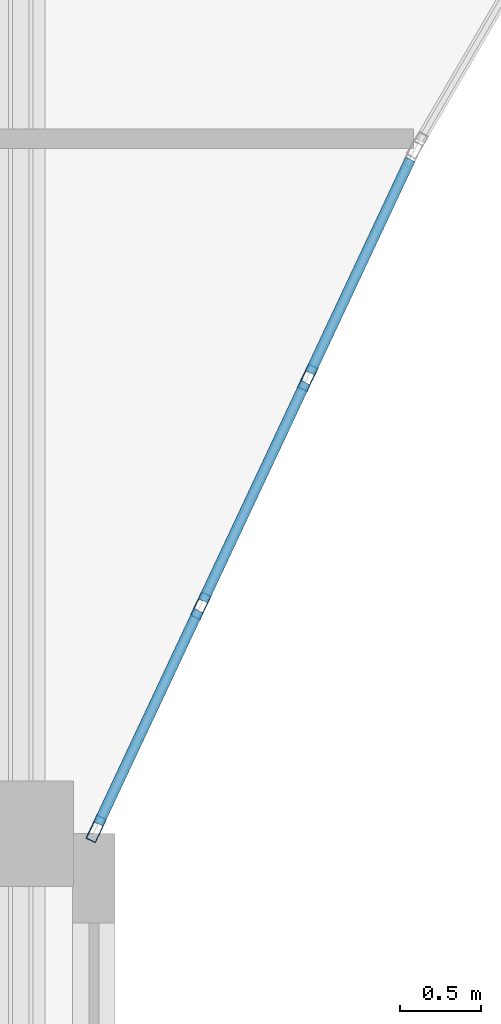
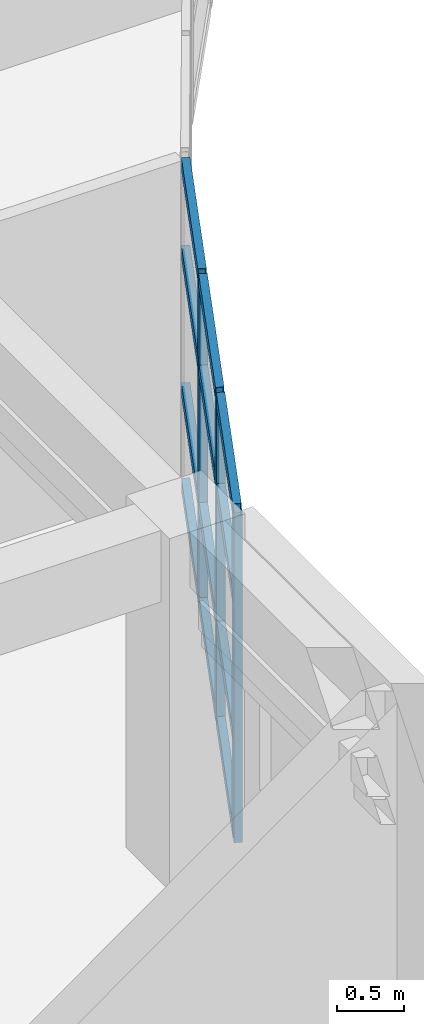
# One storey, part 7 of 89: 15 members, 1 element without a shape of its own.
"""IFC4 building model written with IfcOpenShell, lengths in metres."""

from ifc_helpers import new_model, si_unit, direction, frame, origin, origin_2d, place, context, subcontext, project, spatial, hollow_rectangle, extrude, material, layer, layer_set, material_profile, profile_set, type_object, element, aggregate, save


model = new_model("IFC4")

# Units and contexts
model_context = context("Model", 3, precision=1e-05, world=origin(), true_north=direction((0.0, 1.0)))
body_context = subcontext(model_context, "Body", "Model", "MODEL_VIEW")
ifc_project = project(units=[si_unit("LENGTHUNIT", "METRE"), si_unit("AREAUNIT", "SQUARE_METRE"), si_unit("VOLUMEUNIT", "CUBIC_METRE"), si_unit("PLANEANGLEUNIT", "RADIAN"), si_unit("MASSUNIT", "GRAM", prefix="KILO")], contexts=[model_context])

# Site, building, storey
site_placement = place(None, origin())
site = spatial("IfcSite", under=ifc_project, at=site_placement, CompositionType="ELEMENT")
building_placement = place(site_placement, origin())
building = spatial("IfcBuilding", under=site, at=building_placement, Name="Keldmere Railside Commons", CompositionType="ELEMENT")
storey_placement = place(building_placement, frame((0.0, 0.0, 7.360107421875)))
storey = spatial("IfcBuildingStorey", under=building, at=storey_placement, Name="L02", CompositionType="ELEMENT", Elevation=7.360107421875)

# Curtain wall, members
ifc_material = material(Name="Thermally Broken Aluminium", Category="aluminium")
ifc_layer = layer(ifc_material, 0.159912109375, Name="Court Chord Wintergarden CW 4800x2850")
ifc_layer_set = layer_set([ifc_layer], Name="Thermally Broken Aluminium")
curtain_wall_type = type_object("IfcCurtainWallType", Name="Court Chord Wintergarden CW 4800x2850", PredefinedType="NOTDEFINED", material=ifc_layer_set)
curtain_wall_placement = place(storey_placement, origin())
curtain_wall = element("IfcCurtainWall", 1, at=curtain_wall_placement, inside=storey, type_object=curtain_wall_type, Name="CW-12 CW-L02-007", PredefinedType="NOTDEFINED")
ifc_material_profile_1 = material_profile(ifc_material, hollow_rectangle(XDim=0.06494140625, YDim=0.159912109375, WallThickness=0.00390625, at=origin_2d()), Name="ALU-MULL-65x160")
ifc_profile_set_1 = profile_set([ifc_material_profile_1], Name="Thermally Broken Aluminium")
member_type_1 = type_object("IfcMemberType", Name="Unitised Curtain Wall Mullion 65x160", PredefinedType="MULLION", material=ifc_profile_set_1)
member_1_placement = place(storey_placement, frame((25.314697265625, 90.802001953125, 0.0), z_axis=(0.0, 0.0, 1.0), x_axis=(0.905306255478, -0.424759442264, 0.0)))
member_1 = element("IfcMember", 2, at=member_1_placement, type_object=member_type_1, Name="CW-12 mullion 2", PredefinedType="MULLION", context=body_context, shape_type="SweptSolid", body=[
    extrude(hollow_rectangle(XDim=0.06494140625, YDim=0.159912109375, WallThickness=0.00390625, at=origin_2d()), origin(), (0.0, 0.0, 1.0), 2.97998046875),
])
member_2_placement = place(storey_placement, frame((24.6572265625, 89.40087890625, 0.0), z_axis=(0.0, 0.0, 1.0), x_axis=(0.905306255478, -0.424759442264, 0.0)))
member_2 = element("IfcMember", 3, at=member_2_placement, type_object=member_type_1, Name="CW-12 mullion 3", PredefinedType="MULLION", context=body_context, shape_type="SweptSolid", body=[
    extrude(hollow_rectangle(XDim=0.06494140625, YDim=0.159912109375, WallThickness=0.00390625, at=origin_2d()), origin(), (0.0, 0.0, 1.0), 2.97998046875),
])
member_3_placement = place(storey_placement, frame((24.013916015625, 88.029541015625, 0.0), z_axis=(0.0, 0.0, 1.0), x_axis=(0.905306255478, -0.424759442264, 0.0)))
member_3 = element("IfcMember", 4, at=member_3_placement, type_object=member_type_1, Name="CW-12 mullion 4", PredefinedType="MULLION", context=body_context, shape_type="SweptSolid", body=[
    extrude(hollow_rectangle(XDim=0.06494140625, YDim=0.159912109375, WallThickness=0.00390625, at=origin_2d()), origin(), (0.0, 0.0, 1.0), 2.97998046875),
])
ifc_material_profile_2 = material_profile(ifc_material, hollow_rectangle(XDim=0.06494140625, YDim=0.1201171875, WallThickness=0.00390625, at=origin_2d()), Name="ALU-TRAN-65x120")
ifc_profile_set_2 = profile_set([ifc_material_profile_2], Name="Thermally Broken Aluminium")
member_type_2 = type_object("IfcMemberType", Name="Unitised Curtain Wall Transom 65x120", PredefinedType="USERDEFINED", material=ifc_profile_set_2)
member_4_placement = place(storey_placement, frame((25.9443359375, 92.14404296875, 0.032470703125), z_axis=(-0.424847998455, -0.905264700631, 0.0), x_axis=(0.905264700631, -0.424847998455, 0.0)))
member_4 = element("IfcMember", 5, at=member_4_placement, type_object=member_type_2, Name="CW-12 transom 1.1", ObjectType="TRANSOM", PredefinedType="USERDEFINED", context=body_context, shape_type="SweptSolid", body=[
    extrude(hollow_rectangle(XDim=0.06494140625, YDim=0.1201171875, WallThickness=0.00390625, at=origin_2d()), origin(), (0.0, 0.0, 1.0), 1.449951171875),
])
member_5_placement = place(storey_placement, frame((25.9443359375, 92.14404296875, 0.89990234375), z_axis=(-0.424847998455, -0.905264700631, 0.0), x_axis=(0.905264700631, -0.424847998455, 0.0)))
member_5 = element("IfcMember", 6, at=member_5_placement, type_object=member_type_2, Name="CW-12 transom 1.2", ObjectType="TRANSOM", PredefinedType="USERDEFINED", context=body_context, shape_type="SweptSolid", body=[
    extrude(hollow_rectangle(XDim=0.06494140625, YDim=0.1201171875, WallThickness=0.00390625, at=origin_2d()), origin(), (0.0, 0.0, 1.0), 1.449951171875),
])
member_6_placement = place(storey_placement, frame((25.9443359375, 92.14404296875, 2.14990234375), z_axis=(-0.424847998455, -0.905264700631, 0.0), x_axis=(0.905264700631, -0.424847998455, 0.0)))
member_6 = element("IfcMember", 7, at=member_6_placement, type_object=member_type_2, Name="CW-12 transom 1.3", ObjectType="TRANSOM", PredefinedType="USERDEFINED", context=body_context, shape_type="SweptSolid", body=[
    extrude(hollow_rectangle(XDim=0.06494140625, YDim=0.1201171875, WallThickness=0.00390625, at=origin_2d()), origin(), (0.0, 0.0, 1.0), 1.449951171875),
])
member_7_placement = place(storey_placement, frame((25.9443359375, 92.14404296875, 2.947509765625), z_axis=(-0.424847998455, -0.905264700631, 0.0), x_axis=(0.905264700631, -0.424847998455, 0.0)))
member_7 = element("IfcMember", 8, at=member_7_placement, type_object=member_type_2, Name="CW-12 transom 1.4", ObjectType="TRANSOM", PredefinedType="USERDEFINED", context=body_context, shape_type="SweptSolid", body=[
    extrude(hollow_rectangle(XDim=0.06494140625, YDim=0.1201171875, WallThickness=0.00390625, at=origin_2d()), origin(), (0.0, 0.0, 1.0), 1.449951171875),
])
member_8_placement = place(storey_placement, frame((25.30078125, 90.7724609375, 0.032470703125), z_axis=(-0.424741875375, -0.905314497455, 0.0), x_axis=(0.905314497455, -0.424741875375, 0.0)))
member_8 = element("IfcMember", 9, at=member_8_placement, type_object=member_type_2, Name="CW-12 transom 2.1", ObjectType="TRANSOM", PredefinedType="USERDEFINED", context=body_context, shape_type="SweptSolid", body=[
    extrude(hollow_rectangle(XDim=0.06494140625, YDim=0.1201171875, WallThickness=0.00390625, at=origin_2d()), origin(), (0.0, 0.0, 1.0), 1.482421875),
])
member_9_placement = place(storey_placement, frame((25.30078125, 90.7724609375, 0.89990234375), z_axis=(-0.424741875375, -0.905314497455, 0.0), x_axis=(0.905314497455, -0.424741875375, 0.0)))
member_9 = element("IfcMember", 10, at=member_9_placement, type_object=member_type_2, Name="CW-12 transom 2.2", ObjectType="TRANSOM", PredefinedType="USERDEFINED", context=body_context, shape_type="SweptSolid", body=[
    extrude(hollow_rectangle(XDim=0.06494140625, YDim=0.1201171875, WallThickness=0.00390625, at=origin_2d()), origin(), (0.0, 0.0, 1.0), 1.482421875),
])
member_10_placement = place(storey_placement, frame((25.30078125, 90.7724609375, 2.14990234375), z_axis=(-0.424741875375, -0.905314497455, 0.0), x_axis=(0.905314497455, -0.424741875375, 0.0)))
member_10 = element("IfcMember", 11, at=member_10_placement, type_object=member_type_2, Name="CW-12 transom 2.3", ObjectType="TRANSOM", PredefinedType="USERDEFINED", context=body_context, shape_type="SweptSolid", body=[
    extrude(hollow_rectangle(XDim=0.06494140625, YDim=0.1201171875, WallThickness=0.00390625, at=origin_2d()), origin(), (0.0, 0.0, 1.0), 1.482421875),
])
member_11_placement = place(storey_placement, frame((25.30078125, 90.7724609375, 2.947509765625), z_axis=(-0.424741875375, -0.905314497455, 0.0), x_axis=(0.905314497455, -0.424741875375, 0.0)))
member_11 = element("IfcMember", 12, at=member_11_placement, type_object=member_type_2, Name="CW-12 transom 2.4", ObjectType="TRANSOM", PredefinedType="USERDEFINED", context=body_context, shape_type="SweptSolid", body=[
    extrude(hollow_rectangle(XDim=0.06494140625, YDim=0.1201171875, WallThickness=0.00390625, at=origin_2d()), origin(), (0.0, 0.0, 1.0), 1.482421875),
])
member_12_placement = place(storey_placement, frame((24.6435546875, 89.37158203125, 0.032470703125), z_axis=(-0.424783244458, -0.905295087376, 0.0), x_axis=(0.905295087376, -0.424783244458, 0.0)))
member_12 = element("IfcMember", 13, at=member_12_placement, type_object=member_type_2, Name="CW-12 transom 3.1", ObjectType="TRANSOM", PredefinedType="USERDEFINED", context=body_context, shape_type="SweptSolid", body=[
    extrude(hollow_rectangle(XDim=0.06494140625, YDim=0.1201171875, WallThickness=0.00390625, at=origin_2d()), origin(), (0.0, 0.0, 1.0), 1.449951171875),
])
member_13_placement = place(storey_placement, frame((24.6435546875, 89.37158203125, 0.89990234375), z_axis=(-0.424783244458, -0.905295087376, 0.0), x_axis=(0.905295087376, -0.424783244458, 0.0)))
member_13 = element("IfcMember", 14, at=member_13_placement, type_object=member_type_2, Name="CW-12 transom 3.2", ObjectType="TRANSOM", PredefinedType="USERDEFINED", context=body_context, shape_type="SweptSolid", body=[
    extrude(hollow_rectangle(XDim=0.06494140625, YDim=0.1201171875, WallThickness=0.00390625, at=origin_2d()), origin(), (0.0, 0.0, 1.0), 1.449951171875),
])
member_14_placement = place(storey_placement, frame((24.6435546875, 89.37158203125, 2.14990234375), z_axis=(-0.424783244458, -0.905295087376, 0.0), x_axis=(0.905295087376, -0.424783244458, 0.0)))
member_14 = element("IfcMember", 15, at=member_14_placement, type_object=member_type_2, Name="CW-12 transom 3.3", ObjectType="TRANSOM", PredefinedType="USERDEFINED", context=body_context, shape_type="SweptSolid", body=[
    extrude(hollow_rectangle(XDim=0.06494140625, YDim=0.1201171875, WallThickness=0.00390625, at=origin_2d()), origin(), (0.0, 0.0, 1.0), 1.449951171875),
])
member_15_placement = place(storey_placement, frame((24.6435546875, 89.37158203125, 2.947509765625), z_axis=(-0.424783244458, -0.905295087376, 0.0), x_axis=(0.905295087376, -0.424783244458, 0.0)))
member_15 = element("IfcMember", 16, at=member_15_placement, type_object=member_type_2, Name="CW-12 transom 3.4", ObjectType="TRANSOM", PredefinedType="USERDEFINED", context=body_context, shape_type="SweptSolid", body=[
    extrude(hollow_rectangle(XDim=0.06494140625, YDim=0.1201171875, WallThickness=0.00390625, at=origin_2d()), origin(), (0.0, 0.0, 1.0), 1.449951171875),
])
aggregate(curtain_wall, [member_1, member_2, member_3, member_4, member_5, member_6, member_7, member_8, member_9, member_10, member_11, member_12, member_13, member_14, member_15])

save(model, "model.ifc")
